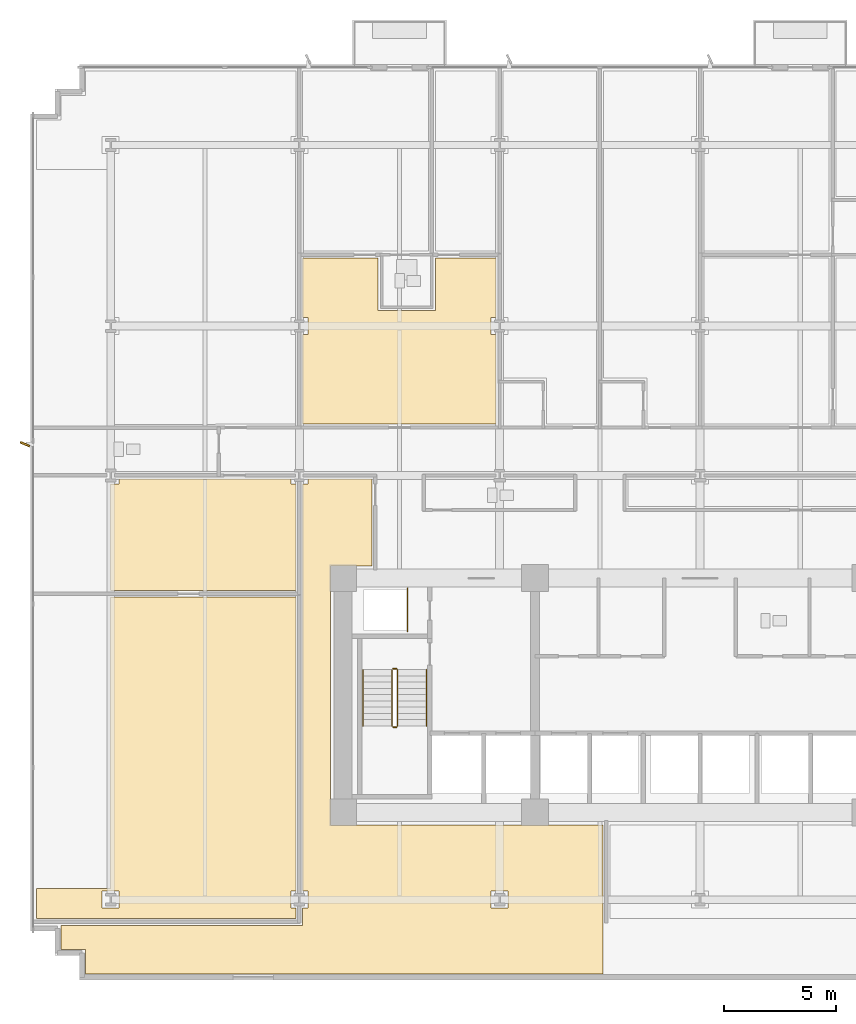
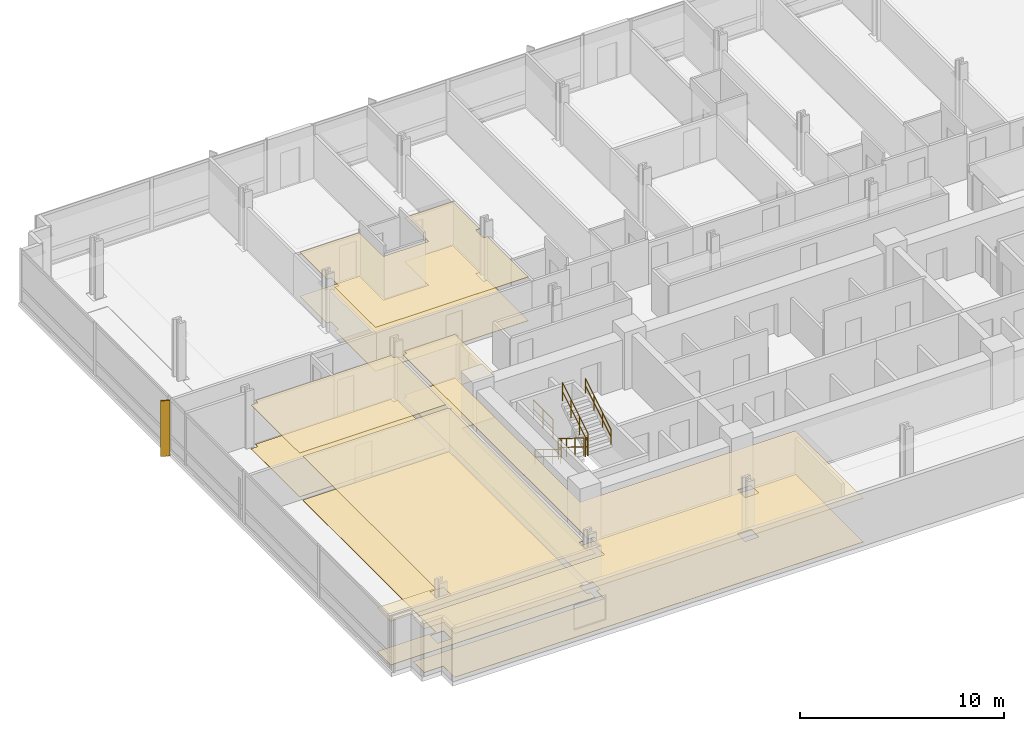
# One storey, part 12 of 15: 8 coverings, 7 railings, 1 shading device.
"""IFC4 building model written with IfcOpenShell, lengths in metres."""

from ifc_helpers import new_model, si_unit, direction, frame, origin, origin_2d, place, context, subcontext, project, spatial, polyline, rectangle, circle, outline, extrude, material, layer, layer_set, type_object, element, save


model = new_model("IFC4")

# Units and contexts
model_context = context("Model", 3, precision=1e-05, world=origin(), true_north=direction((0.0, 1.0)))
body_context = subcontext(model_context, "Body", "Model", "MODEL_VIEW")
ifc_project = project(units=[si_unit("LENGTHUNIT", "METRE"), si_unit("AREAUNIT", "SQUARE_METRE"), si_unit("VOLUMEUNIT", "CUBIC_METRE"), si_unit("PLANEANGLEUNIT", "RADIAN"), si_unit("MASSUNIT", "GRAM", prefix="KILO")], contexts=[model_context])

# Site, building, storey
site_placement = place(None, origin())
site = spatial("IfcSite", under=ifc_project, at=site_placement, CompositionType="ELEMENT")
building_placement = place(site_placement, origin())
building = spatial("IfcBuilding", under=site, at=building_placement, Name="Solmavex Isthmus Hotel", CompositionType="ELEMENT")
storey_placement = place(building_placement, frame((0.0, 0.0, 64.35009765625)))
storey = spatial("IfcBuildingStorey", under=building, at=storey_placement, Name="L17", CompositionType="ELEMENT", Elevation=64.35009765625)

# Coverings
ifc_material_1 = material(Name="Gypsum plasterboard lining", Category="gypsum")
ifc_layer_1 = layer(ifc_material_1, 0.030029296875)
ifc_layer_set_1 = layer_set([ifc_layer_1], Name="Gypsum plasterboard lining")
covering_type_1 = type_object("IfcCoveringType", Name="COV-CEIL-GYP", PredefinedType="CEILING", material=ifc_layer_set_1)
covering_1_placement = place(storey_placement, frame((0.0, 0.0, 2.619873046875)))
element("IfcCovering", 1, at=covering_1_placement, inside=storey, type_object=covering_type_1, Name="Suspended Acoustic Ceiling L17-ST02-FY", PredefinedType="CEILING", context=body_context, shape_type="SweptSolid", body=[
    extrude(outline(polyline([(-17.797119140625, 9.16796875), (-17.572021484375, 9.16796875), (-17.572021484375, 8.407958984375), (-17.797119140625, 8.407958984375), (-17.797119140625, 4.405029296875), (-9.131103515625, 4.405029296875), (-9.131103515625, 8.407958984375), (-9.35595703125, 8.407958984375), (-9.35595703125, 9.16796875), (-9.131103515625, 9.16796875), (-9.131103515625, 11.8330078125), (-11.85888671875, 11.8330078125), (-11.85888671875, 9.48291015625), (-14.4189453125, 9.48291015625), (-14.4189453125, 11.8330078125), (-17.797119140625, 11.8330078125), (-17.797119140625, 9.16796875)])), origin(), (0.0, 0.0, 1.0), 0.030029296875),
])
covering_2_placement = place(storey_placement, frame((0.0, 0.0, 2.619873046875)))
element("IfcCovering", 2, at=covering_2_placement, inside=storey, type_object=covering_type_1, Name="Suspended Acoustic Ceiling L17-FL13", PredefinedType="CEILING", context=body_context, shape_type="SweptSolid", body=[
    extrude(outline(polyline([(-26.02001953125, 1.945068359375), (-26.02001953125, 1.719970703125), (-26.39990234375, 1.719970703125), (-26.39990234375, -3.044921875), (-18.10693359375, -3.044921875), (-18.10693359375, 1.719970703125), (-18.33203125, 1.719970703125), (-18.33203125, 1.945068359375), (-26.02001953125, 1.945068359375)])), origin(), (0.0, 0.0, 1.0), 0.030029296875),
])
covering_3_placement = place(storey_placement, frame((0.0, 0.0, 2.619873046875)))
element("IfcCovering", 3, at=covering_3_placement, inside=storey, type_object=covering_type_1, Name="Suspended Acoustic Ceiling L17-FL16", PredefinedType="CEILING", context=body_context, shape_type="SweptSolid", body=[
    extrude(outline(polyline([(-28.625, -18.054931640625), (-28.625, -19.125), (-27.52490234375, -19.125), (-27.52490234375, -20.22509765625), (-4.35498046875, -20.22509765625), (-4.35498046875, -13.554931640625), (-16.554931640625, -13.554931640625), (-16.554931640625, -1.945068359375), (-14.698974609375, -1.945068359375), (-14.698974609375, 1.945068359375), (-17.572021484375, 1.945068359375), (-17.572021484375, 1.719970703125), (-17.797119140625, 1.719970703125), (-17.797119140625, -16.52001953125), (-17.572021484375, -16.52001953125), (-17.572021484375, -17.280029296875), (-17.797119140625, -17.280029296875), (-17.797119140625, -18.054931640625), (-28.625, -18.054931640625)]), holes=[polyline([(-9.35595703125, -17.280029296875), (-9.35595703125, -16.52001953125), (-8.595947265625, -16.52001953125), (-8.595947265625, -17.280029296875), (-9.35595703125, -17.280029296875)])]), origin(), (0.0, 0.0, 1.0), 0.030029296875),
])
covering_4_placement = place(storey_placement, frame((0.0, 0.0, 2.619873046875)))
element("IfcCovering", 4, at=covering_4_placement, inside=storey, type_object=covering_type_1, Name="Suspended Acoustic Ceiling L17-FL17", PredefinedType="CEILING", context=body_context, shape_type="SweptSolid", body=[
    extrude(outline(polyline([(-18.10693359375, -17.280029296875), (-18.33203125, -17.280029296875), (-18.33203125, -16.52001953125), (-18.10693359375, -16.52001953125), (-18.10693359375, -3.35498046875), (-26.39990234375, -3.35498046875), (-26.39990234375, -16.39990234375), (-29.72509765625, -16.39990234375), (-29.72509765625, -17.7451171875), (-18.10693359375, -17.7451171875), (-18.10693359375, -17.280029296875)]), holes=[polyline([(-26.780029296875, -17.280029296875), (-26.780029296875, -16.52001953125), (-26.02001953125, -16.52001953125), (-26.02001953125, -17.280029296875), (-26.780029296875, -17.280029296875)])]), origin(), (0.0, 0.0, 1.0), 0.030029296875),
])
ifc_material_2 = material(Name="Travertine natural stone", Category="masonry")
ifc_layer_2 = layer(ifc_material_2, 0.02490234375)
ifc_layer_set_2 = layer_set([ifc_layer_2], Name="Travertine natural stone")
covering_type_2 = type_object("IfcCoveringType", Name="COV-FLOR-STN", PredefinedType="FLOORING", material=ifc_layer_set_2)
covering_5_placement = place(storey_placement, origin())
element("IfcCovering", 5, at=covering_5_placement, inside=storey, type_object=covering_type_2, Name="Stone and Timber Floor Finish L17-ST02-FY", PredefinedType="FLOORING", context=body_context, shape_type="SweptSolid", body=[
    extrude(outline(polyline([(-17.797119140625, 9.16796875), (-17.572021484375, 9.16796875), (-17.572021484375, 8.407958984375), (-17.797119140625, 8.407958984375), (-17.797119140625, 4.405029296875), (-9.131103515625, 4.405029296875), (-9.131103515625, 8.407958984375), (-9.35595703125, 8.407958984375), (-9.35595703125, 9.16796875), (-9.131103515625, 9.16796875), (-9.131103515625, 11.8330078125), (-11.85888671875, 11.8330078125), (-11.85888671875, 9.48291015625), (-14.4189453125, 9.48291015625), (-14.4189453125, 11.8330078125), (-17.797119140625, 11.8330078125), (-17.797119140625, 9.16796875)])), origin(), (0.0, 0.0, 1.0), 0.02490234375),
])
covering_6_placement = place(storey_placement, origin())
element("IfcCovering", 6, at=covering_6_placement, inside=storey, type_object=covering_type_2, Name="Stone and Timber Floor Finish L17-FL13", PredefinedType="FLOORING", context=body_context, shape_type="SweptSolid", body=[
    extrude(outline(polyline([(-26.02001953125, 1.945068359375), (-26.02001953125, 1.719970703125), (-26.39990234375, 1.719970703125), (-26.39990234375, -3.044921875), (-18.10693359375, -3.044921875), (-18.10693359375, 1.719970703125), (-18.33203125, 1.719970703125), (-18.33203125, 1.945068359375), (-26.02001953125, 1.945068359375)])), origin(), (0.0, 0.0, 1.0), 0.02490234375),
])
covering_7_placement = place(storey_placement, origin())
element("IfcCovering", 7, at=covering_7_placement, inside=storey, type_object=covering_type_2, Name="Stone and Timber Floor Finish L17-FL16", PredefinedType="FLOORING", context=body_context, shape_type="SweptSolid", body=[
    extrude(outline(polyline([(-28.625, -18.054931640625), (-28.625, -19.125), (-27.52490234375, -19.125), (-27.52490234375, -20.22509765625), (-4.35498046875, -20.22509765625), (-4.35498046875, -13.554931640625), (-16.554931640625, -13.554931640625), (-16.554931640625, -1.945068359375), (-14.698974609375, -1.945068359375), (-14.698974609375, 1.945068359375), (-17.572021484375, 1.945068359375), (-17.572021484375, 1.719970703125), (-17.797119140625, 1.719970703125), (-17.797119140625, -16.52001953125), (-17.572021484375, -16.52001953125), (-17.572021484375, -17.280029296875), (-17.797119140625, -17.280029296875), (-17.797119140625, -18.054931640625), (-28.625, -18.054931640625)]), holes=[polyline([(-9.35595703125, -17.280029296875), (-9.35595703125, -16.52001953125), (-8.595947265625, -16.52001953125), (-8.595947265625, -17.280029296875), (-9.35595703125, -17.280029296875)])]), origin(), (0.0, 0.0, 1.0), 0.02490234375),
])
covering_8_placement = place(storey_placement, origin())
element("IfcCovering", 8, at=covering_8_placement, inside=storey, type_object=covering_type_2, Name="Stone and Timber Floor Finish L17-FL17", PredefinedType="FLOORING", context=body_context, shape_type="SweptSolid", body=[
    extrude(outline(polyline([(-18.10693359375, -17.280029296875), (-18.33203125, -17.280029296875), (-18.33203125, -16.52001953125), (-18.10693359375, -16.52001953125), (-18.10693359375, -3.35498046875), (-26.39990234375, -3.35498046875), (-26.39990234375, -16.39990234375), (-29.72509765625, -16.39990234375), (-29.72509765625, -17.7451171875), (-18.10693359375, -17.7451171875), (-18.10693359375, -17.280029296875)]), holes=[polyline([(-26.780029296875, -17.280029296875), (-26.780029296875, -16.52001953125), (-26.02001953125, -16.52001953125), (-26.02001953125, -17.280029296875), (-26.780029296875, -17.280029296875)])]), origin(), (0.0, 0.0, 1.0), 0.02490234375),
])

# Railings
ifc_material_3 = material(Name="Clear low-E laminated glass", Category="glass")
ifc_layer_3 = layer(ifc_material_3, 0.080078125)
ifc_layer_set_3 = layer_set([ifc_layer_3], Name="Clear low-E laminated glass")
railing_type_1 = type_object("IfcRailingType", Name="RAIL-ATRIUM-1120", PredefinedType="BALUSTRADE", material=ifc_layer_set_3)
railing_1_placement = place(storey_placement, frame((-13.10009765625, -4.89990234375, 0.0)))
element("IfcRailing", 9, at=railing_1_placement, inside=storey, type_object=railing_type_1, Name="Guardrail Balustrade L17-RSW-01", PredefinedType="BALUSTRADE", context=body_context, shape_type="SweptSolid", body=[
    extrude(circle(Radius=0.02392578125, at=origin_2d()), frame((0.0, 0.0, 1.1259765625), z_axis=(0.0, 1.0, 0.0), x_axis=(-1.0, 0.0, 0.0)), (0.0, 0.0, 1.0), 1.949951171875),
    extrude(circle(Radius=0.02392578125, at=origin_2d()), frame((0.0, 0.0, 0.574951171875), z_axis=(0.0, 1.0, 0.0), x_axis=(-1.0, 0.0, 0.0)), (0.0, 0.0, 1.0), 1.949951171875),
    extrude(circle(Radius=0.02099609375, at=origin_2d()), origin(), (0.0, 0.0, 1.0), 1.101806640625),
    extrude(circle(Radius=0.02099609375, at=origin_2d()), frame((0.0, 0.97509765625, 0.0)), (0.0, 0.0, 1.0), 1.101806640625),
    extrude(circle(Radius=0.02099609375, at=origin_2d()), frame((0.0, 1.949951171875, 0.0)), (0.0, 0.0, 1.0), 1.101806640625),
])
ifc_material_4 = material(Name="Stainless steel 316", Category="steel")
ifc_layer_4 = layer(ifc_material_4, 0.06005859375)
ifc_layer_set_4 = layer_set([ifc_layer_4], Name="Stainless steel 316")
railing_type_2 = type_object("IfcRailingType", Name="RAIL-STAIR-GD", PredefinedType="GUARDRAIL", material=ifc_layer_set_4)
railing_2_placement = place(storey_placement, frame((-13.800048828125, -6.60009765625, 0.17236328125)))
element("IfcRailing", 10, at=railing_2_placement, inside=storey, type_object=railing_type_2, Name="L17 ST-1 stair guard 1", PredefinedType="GUARDRAIL", context=body_context, shape_type="SweptSolid", body=[
    extrude(circle(Radius=0.02392578125, at=origin_2d()), frame((0.0, 0.0, 1.09619140625), z_axis=(0.0, -0.851400495292, 0.524516154772), x_axis=(1.0, 0.0, 0.0)), (0.0, 0.0, 1.0), 2.9599609375),
    extrude(circle(Radius=0.02392578125, at=origin_2d()), frame((0.0, 0.0, 0.56005859375), z_axis=(0.0, -0.851400495292, 0.524516154772), x_axis=(1.0, 0.0, 0.0)), (0.0, 0.0, 1.0), 2.9599609375),
    extrude(circle(Radius=0.02099609375, at=origin_2d()), origin(), (0.0, 0.0, 1.0), 1.072021484375),
    extrude(circle(Radius=0.02099609375, at=origin_2d()), frame((0.0, -0.840087890625, 0.517578125)), (0.0, 0.0, 1.0), 1.072021484375),
    extrude(circle(Radius=0.02099609375, at=origin_2d()), frame((0.0, -1.679931640625, 1.034912109375)), (0.0, 0.0, 1.0), 1.072021484375),
    extrude(circle(Radius=0.02099609375, at=origin_2d()), frame((0.0, -2.52001953125, 1.552490234375)), (0.0, 0.0, 1.0), 1.072021484375),
])
railing_3_placement = place(storey_placement, frame((-13.75, -9.169921875, 1.724853515625)))
element("IfcRailing", 11, at=railing_3_placement, inside=storey, type_object=railing_type_2, Name="L17 ST-1 stair guard 2", PredefinedType="GUARDRAIL", context=body_context, shape_type="SweptSolid", body=[
    extrude(circle(Radius=0.02392578125, at=origin_2d()), frame((0.0, 0.0, 1.09619140625), z_axis=(1.0, 0.0, 0.0), x_axis=(0.0, 1.0, 0.0)), (0.0, 0.0, 1.0), 0.14990234375),
    extrude(circle(Radius=0.02392578125, at=origin_2d()), frame((0.0, 0.0, 0.56005859375), z_axis=(1.0, 0.0, 0.0), x_axis=(0.0, 1.0, 0.0)), (0.0, 0.0, 1.0), 0.14990234375),
    extrude(circle(Radius=0.02099609375, at=origin_2d()), origin(), (0.0, 0.0, 1.0), 1.072021484375),
    extrude(circle(Radius=0.02099609375, at=origin_2d()), frame((0.14990234375, 0.0, 0.0)), (0.0, 0.0, 1.0), 1.072021484375),
])
railing_4_placement = place(storey_placement, frame((-13.550048828125, -9.1201171875, 1.8974609375)))
element("IfcRailing", 12, at=railing_4_placement, inside=storey, type_object=railing_type_2, Name="L17 ST-1 stair guard 3", PredefinedType="GUARDRAIL", context=body_context, shape_type="SweptSolid", body=[
    extrude(circle(Radius=0.02392578125, at=origin_2d()), frame((0.0, 0.0, 1.09619140625), z_axis=(0.0, 0.851400495292, 0.524516154772), x_axis=(-1.0, 0.0, 0.0)), (0.0, 0.0, 1.0), 2.9599609375),
    extrude(circle(Radius=0.02392578125, at=origin_2d()), frame((0.0, 0.0, 0.56005859375), z_axis=(0.0, 0.851400495292, 0.524516154772), x_axis=(-1.0, 0.0, 0.0)), (0.0, 0.0, 1.0), 2.9599609375),
    extrude(circle(Radius=0.02099609375, at=origin_2d()), origin(), (0.0, 0.0, 1.0), 1.072021484375),
    extrude(circle(Radius=0.02099609375, at=origin_2d()), frame((0.0, 0.840087890625, 0.517578125)), (0.0, 0.0, 1.0), 1.072021484375),
    extrude(circle(Radius=0.02099609375, at=origin_2d()), frame((0.0, 1.679931640625, 1.034912109375)), (0.0, 0.0, 1.0), 1.072021484375),
    extrude(circle(Radius=0.02099609375, at=origin_2d()), frame((0.0, 2.52001953125, 1.552490234375)), (0.0, 0.0, 1.0), 1.072021484375),
])
railing_5_placement = place(storey_placement, frame((-13.75, -6.550048828125, 0.0)))
element("IfcRailing", 13, at=railing_5_placement, inside=storey, type_object=railing_type_2, Name="L17 ST-1 stair guard 4", PredefinedType="GUARDRAIL", context=body_context, shape_type="SweptSolid", body=[
    extrude(circle(Radius=0.02392578125, at=origin_2d()), frame((0.0, 0.0, 1.09619140625), z_axis=(1.0, 0.0, 0.0), x_axis=(0.0, 1.0, 0.0)), (0.0, 0.0, 1.0), 0.14990234375),
    extrude(circle(Radius=0.02392578125, at=origin_2d()), frame((0.0, 0.0, 0.56005859375), z_axis=(1.0, 0.0, 0.0), x_axis=(0.0, 1.0, 0.0)), (0.0, 0.0, 1.0), 0.14990234375),
    extrude(circle(Radius=0.02099609375, at=origin_2d()), origin(), (0.0, 0.0, 1.0), 1.072021484375),
    extrude(circle(Radius=0.02099609375, at=origin_2d()), frame((0.14990234375, 0.0, 0.0)), (0.0, 0.0, 1.0), 1.072021484375),
])
ifc_layer_5 = layer(ifc_material_4, 0.050048828125)
ifc_layer_set_5 = layer_set([ifc_layer_5], Name="Stainless steel 316")
railing_type_3 = type_object("IfcRailingType", Name="RAIL-STAIR-HR", PredefinedType="HANDRAIL", material=ifc_layer_set_5)
railing_6_placement = place(storey_placement, frame((-15.10009765625, -6.60009765625, 0.17236328125)))
element("IfcRailing", 14, at=railing_6_placement, inside=storey, type_object=railing_type_3, Name="L17 ST-1 stair handrail 1", PredefinedType="HANDRAIL", context=body_context, shape_type="SweptSolid", body=[
    extrude(circle(Radius=0.02392578125, at=origin_2d()), frame((0.0, 0.0, 0.8759765625), z_axis=(0.0, -0.851400495292, 0.524516154772), x_axis=(1.0, 0.0, 0.0)), (0.0, 0.0, 1.0), 2.9599609375),
    extrude(circle(Radius=0.02392578125, at=origin_2d()), frame((0.0, 0.0, 0.449951171875), z_axis=(0.0, -0.851400495292, 0.524516154772), x_axis=(1.0, 0.0, 0.0)), (0.0, 0.0, 1.0), 2.9599609375),
    extrude(circle(Radius=0.02099609375, at=origin_2d()), origin(), (0.0, 0.0, 1.0), 0.851806640625),
    extrude(circle(Radius=0.02099609375, at=origin_2d()), frame((0.0, -0.840087890625, 0.517578125)), (0.0, 0.0, 1.0), 0.851806640625),
    extrude(circle(Radius=0.02099609375, at=origin_2d()), frame((0.0, -1.679931640625, 1.034912109375)), (0.0, 0.0, 1.0), 0.851806640625),
    extrude(circle(Radius=0.02099609375, at=origin_2d()), frame((0.0, -2.52001953125, 1.552490234375)), (0.0, 0.0, 1.0), 0.851806640625),
])
railing_7_placement = place(storey_placement, frame((-12.25, -9.1201171875, 1.8974609375)))
element("IfcRailing", 15, at=railing_7_placement, inside=storey, type_object=railing_type_3, Name="L17 ST-1 stair handrail 2", PredefinedType="HANDRAIL", context=body_context, shape_type="SweptSolid", body=[
    extrude(circle(Radius=0.02392578125, at=origin_2d()), frame((0.0, 0.0, 0.8759765625), z_axis=(0.0, 0.851400495292, 0.524516154772), x_axis=(-1.0, 0.0, 0.0)), (0.0, 0.0, 1.0), 2.9599609375),
    extrude(circle(Radius=0.02392578125, at=origin_2d()), frame((0.0, 0.0, 0.449951171875), z_axis=(0.0, 0.851400495292, 0.524516154772), x_axis=(-1.0, 0.0, 0.0)), (0.0, 0.0, 1.0), 2.9599609375),
    extrude(circle(Radius=0.02099609375, at=origin_2d()), origin(), (0.0, 0.0, 1.0), 0.851806640625),
    extrude(circle(Radius=0.02099609375, at=origin_2d()), frame((0.0, 0.840087890625, 0.517578125)), (0.0, 0.0, 1.0), 0.851806640625),
    extrude(circle(Radius=0.02099609375, at=origin_2d()), frame((0.0, 1.679931640625, 1.034912109375)), (0.0, 0.0, 1.0), 0.851806640625),
    extrude(circle(Radius=0.02099609375, at=origin_2d()), frame((0.0, 2.52001953125, 1.552490234375)), (0.0, 0.0, 1.0), 0.851806640625),
])

# Shading device
ifc_material_5 = material(Name="Aluminium alloy 6063-T6", Category="aluminium")
shading_device_type = type_object("IfcShadingDeviceType", Name="SHD-FIN-BRONZE", PredefinedType="USERDEFINED", material=ifc_material_5)
shading_device_placement = place(storey_placement, frame((-30.239990234375, 3.5, -0.14013671875), z_axis=(0.0, 0.0, 1.0), x_axis=(-0.913545457643, 0.406736643076, 0.0)))
element("IfcShadingDevice", 16, at=shading_device_placement, inside=storey, type_object=shading_device_type, Name="Anodised Aluminium Solar Fin L17-W1", ObjectType="SOLAR_FIN", PredefinedType="USERDEFINED", context=body_context, shape_type="SweptSolid", body=[
    extrude(rectangle(XDim=0.449951171875, YDim=0.080078125, at=origin_2d()), origin(), (0.0, 0.0, 1.0), 3.330078125),
])

save(model, "model.ifc")
